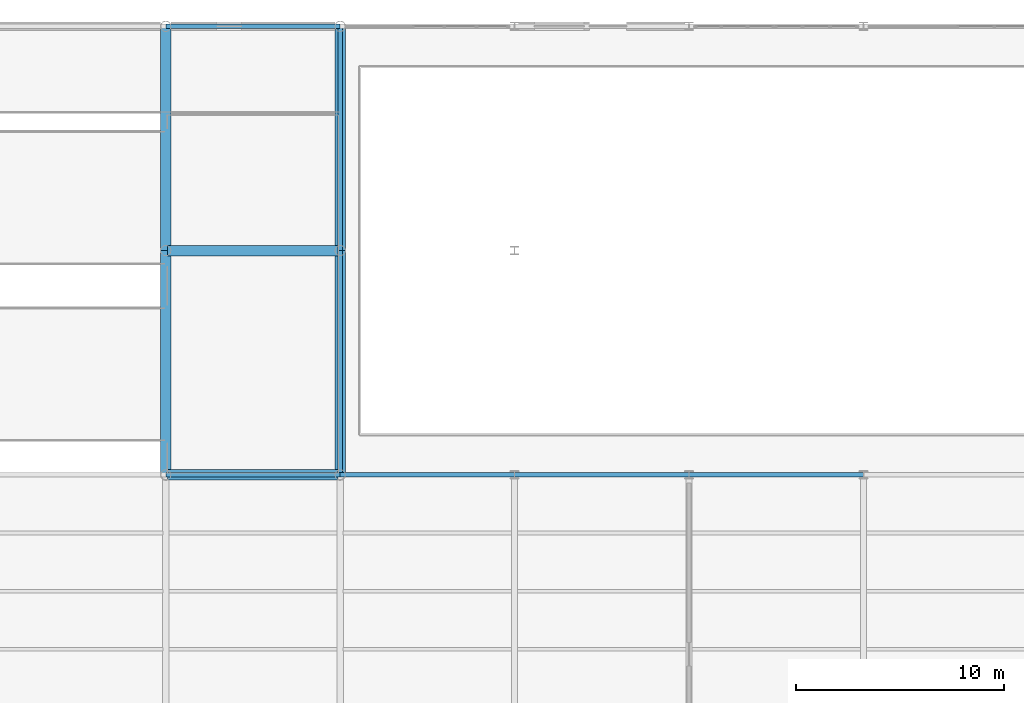
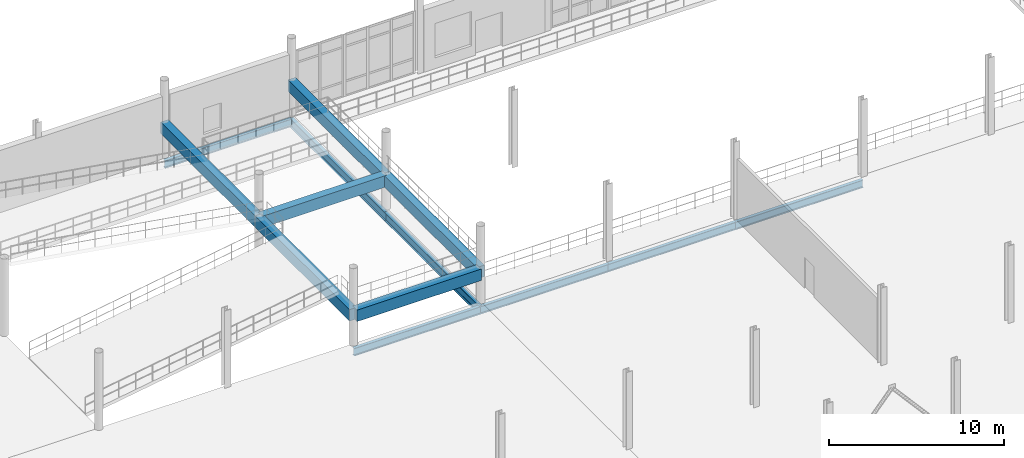
# One storey, part 52 of 111: 13 beams.
"""IFC4 building model written with IfcOpenShell, lengths in metres."""

import ifcopenshell
import ifcopenshell.guid

model = None  # the IFC model being written
_history = None  # IfcOwnerHistory: only IFC2X3 demands one
_inside = {}  # id of a spatial element -> (the spatial element, [elements in it])
_under = {}  # id of a project, library or spatial element -> (it, [spatial elements below it])
_declared = {}  # id of a project -> (the project, [libraries it declares])
_typed = {}  # id of a type object -> (the type object, [elements of that type])
_made_of = {}  # id of a material, layer set ... -> (it, [elements and type objects made of it])


def new_model(schema):
    """Start an empty IFC model of exactly this schema.

    Asked for "IFC4X3", IfcOpenShell would pick the latest addendum, in which some entities
    have other attributes; the version numbers below select the first issue.
    IFC2X3 requires an IfcOwnerHistory on every rooted entity: one is made here for all.
    """
    global model, _history
    if schema == "IFC4X3":
        model = ifcopenshell.file(schema_version=(4, 3, 0, 0))
    else:
        model = ifcopenshell.file(schema=schema)
    _inside.clear()
    _under.clear()
    _declared.clear()
    _typed.clear()
    _made_of.clear()
    _history = None
    if model.schema == "IFC2X3":
        org = make("IfcOrganization", Name="unknown")
        user = make(
            "IfcPersonAndOrganization",
            ThePerson=make("IfcPerson", FamilyName="unknown"),
            TheOrganization=org,
        )
        app = make(
            "IfcApplication",
            ApplicationDeveloper=org,
            Version="unknown",
            ApplicationFullName="unknown",
            ApplicationIdentifier="unknown",
        )
        _history = make(
            "IfcOwnerHistory",
            OwningUser=user,
            OwningApplication=app,
            ChangeAction="ADDED",
            CreationDate=0,
        )
    return model


def make(cls, **values):
    """One entity of the class cls with the attributes given. An attribute that is None is left unset."""
    return model.create_entity(
        cls, **{name: value for name, value in values.items() if value is not None}
    )


def rooted(cls, **values):
    """An entity with a GlobalId (a new one), such as an element, a storey or a relation."""
    return make(cls, GlobalId=ifcopenshell.guid.new(), OwnerHistory=_history, **values)


def si_unit(unit_type, name, prefix=None):
    """IfcSIUnit, for example si_unit("LENGTHUNIT", "METRE", prefix="MILLI")."""
    return make("IfcSIUnit", UnitType=unit_type, Prefix=prefix, Name=name)


def assignment(units):
    """IfcUnitAssignment: the units of a project."""
    return None if units is None else make("IfcUnitAssignment", Units=units)


def point(xyz):
    """IfcCartesianPoint."""
    return None if xyz is None else make("IfcCartesianPoint", Coordinates=xyz)


def direction(xyz):
    """IfcDirection."""
    return None if xyz is None else make("IfcDirection", DirectionRatios=xyz)


def frame(location, z_axis=None, x_axis=None):
    """IfcAxis2Placement3D, a coordinate frame: its origin and axes. An axis left out is left unset."""
    return make(
        "IfcAxis2Placement3D",
        Location=point(location),
        Axis=direction(z_axis),
        RefDirection=direction(x_axis),
    )


def frame_2d(location, x_axis=None):
    """IfcAxis2Placement2D, a coordinate frame in the plane: its origin and x axis."""
    return make(
        "IfcAxis2Placement2D", Location=point(location), RefDirection=direction(x_axis)
    )


def origin():
    """The frame at (0, 0, 0) with its axes left unset."""
    return frame((0.0, 0.0, 0.0))


def origin_2d():
    """The frame at (0, 0) in the plane with its x axis left unset."""
    return frame_2d((0.0, 0.0))


def place(relative_to, where):
    """IfcLocalPlacement: puts the frame where relative to a parent placement (None: the world)."""
    return make(
        "IfcLocalPlacement", PlacementRelTo=relative_to, RelativePlacement=where
    )


def context(
    kind, dimensions, precision=None, world=None, true_north=None, identifier=None
):
    """IfcGeometricRepresentationContext, for example the 3D "Model" context."""
    return make(
        "IfcGeometricRepresentationContext",
        ContextIdentifier=identifier,
        ContextType=kind,
        CoordinateSpaceDimension=dimensions,
        Precision=precision,
        WorldCoordinateSystem=world,
        TrueNorth=true_north,
    )


def subcontext(parent, identifier, kind, view, scale=None):
    """IfcGeometricRepresentationSubContext, for example "Body" below "Model"."""
    return make(
        "IfcGeometricRepresentationSubContext",
        ContextIdentifier=identifier,
        ContextType=kind,
        ParentContext=parent,
        TargetScale=scale,
        TargetView=view,
    )


def project(units=None, contexts=None):
    """IfcProject with its units and contexts."""
    return rooted(
        "IfcProject",
        Name="project",
        RepresentationContexts=contexts,
        UnitsInContext=assignment(units),
    )


def spatial(cls, under=None, at=None, **own):
    """A site, building, storey or space (cls), placed at a placement, below another one or the project."""
    s = rooted(cls, ObjectPlacement=at, **own)
    if under is not None:
        _under.setdefault(under.id(), (under, []))[1].append(s)
    return s


def profile(cls, at=None, kind="AREA", **sizes):
    """A parametric profile (cls). Its sizes go by their IFC names, for example OverallWidth=200.0."""
    return make(cls, ProfileType=kind, Position=at, **sizes)


def rectangle(**sizes):
    """IfcRectangleProfileDef."""
    return profile("IfcRectangleProfileDef", **sizes)


def i_section(**sizes):
    """IfcIShapeProfileDef."""
    return profile("IfcIShapeProfileDef", **sizes)


def extrude(swept, where, along, depth):
    """IfcExtrudedAreaSolid: the profile swept, set in the frame where, extruded along a direction by depth."""
    return make(
        "IfcExtrudedAreaSolid",
        SweptArea=swept,
        Position=where,
        ExtrudedDirection=direction(along),
        Depth=depth,
    )


def shape(context_of_items, identifier, shape_type, items):
    """IfcShapeRepresentation: the items that make up one representation, for example the "Body"."""
    return make(
        "IfcShapeRepresentation",
        ContextOfItems=context_of_items,
        RepresentationIdentifier=identifier,
        RepresentationType=shape_type,
        Items=items,
    )


def material(Name=None, Category=None):
    """IfcMaterial."""
    return make("IfcMaterial", Name=Name, Category=Category)


def material_profile(
    of_material, cross_section, Name=None, Category=None, Priority=None
):
    """IfcMaterialProfile: a cross section and its material."""
    return make(
        "IfcMaterialProfile",
        Name=Name,
        Material=of_material,
        Profile=cross_section,
        Priority=Priority,
        Category=Category,
    )


def profile_set(profiles, Name=None, composite=None):
    """IfcMaterialProfileSet."""
    return make(
        "IfcMaterialProfileSet",
        Name=Name,
        MaterialProfiles=profiles,
        CompositeProfile=composite,
    )


def made_of(thing, what):
    """Note that an element or type object is made of a material, layer set ...; save() writes the relation."""
    if what is not None:
        _made_of.setdefault(what.id(), (what, []))[1].append(thing)
    return thing


def type_object(cls, material=None, **own):
    """A type object (cls), such as IfcWallType, which elements share."""
    return made_of(rooted(cls, **own), material)


def element(
    cls,
    number,
    at=None,
    inside=None,
    cuts=None,
    type_object=None,
    material=None,
    context=None,
    identifier="Body",
    shape_type=None,
    held_by="IfcProductDefinitionShape",
    body=None,
    shapes=None,
    **own,
):
    """One element of the class cls, such as IfcWall. Its Tag is "e" and its number.

    at: its placement. inside: the storey or other place that contains it. cuts: it is an
    opening in that element (IfcRelVoidsElement). A single representation is given by context,
    identifier, shape_type and body (its items); several are given by shapes. held_by: the class
    of the entity that holds the representations. save() writes the other relations.
    """
    e = rooted(cls, Tag="e%d" % number, ObjectPlacement=at, **own)
    if body is not None:
        shapes = [shape(context, identifier, shape_type, body)]
    if shapes is not None:
        e.Representation = make(held_by, Representations=shapes)
    if inside is not None:
        _inside.setdefault(inside.id(), (inside, []))[1].append(e)
    if cuts is not None:
        rooted(
            "IfcRelVoidsElement", RelatingBuildingElement=cuts, RelatedOpeningElement=e
        )
    if type_object is not None:
        _typed.setdefault(type_object.id(), (type_object, []))[1].append(e)
    return made_of(e, material)


def aggregate(whole, parts):
    """IfcRelAggregates: a whole, such as a stair, and the parts it consists of."""
    return rooted("IfcRelAggregates", RelatingObject=whole, RelatedObjects=parts)


def save(model, path):
    """Write the relations noted so far, then the file.

    IfcRelAggregates (storeys below a building ...), IfcRelContainedInSpatialStructure (elements
    in a storey), IfcRelDefinesByType, IfcRelAssociatesMaterial and IfcRelDeclares: one each for
    every whole, place, type object, material and project.
    """
    for whole, parts in _under.values():
        aggregate(whole, parts)
    for where, things in _inside.values():
        rooted(
            "IfcRelContainedInSpatialStructure",
            RelatedElements=things,
            RelatingStructure=where,
        )
    for kind, things in _typed.values():
        rooted("IfcRelDefinesByType", RelatedObjects=things, RelatingType=kind)
    for what, things in _made_of.values():
        rooted("IfcRelAssociatesMaterial", RelatedObjects=things, RelatingMaterial=what)
    for by, libraries in _declared.values():
        rooted("IfcRelDeclares", RelatingContext=by, RelatedDefinitions=libraries)
    model.write(path)


model = new_model("IFC4")

# Units and contexts
model_context = context("Model", 3, precision=1e-05, world=origin(), true_north=direction((0.0, 1.0)))
body_context = subcontext(model_context, "Body", "Model", "MODEL_VIEW")
ifc_project = project(units=[si_unit("LENGTHUNIT", "METRE"), si_unit("AREAUNIT", "SQUARE_METRE"), si_unit("VOLUMEUNIT", "CUBIC_METRE"), si_unit("PLANEANGLEUNIT", "RADIAN"), si_unit("MASSUNIT", "GRAM", prefix="KILO"), si_unit("THERMODYNAMICTEMPERATUREUNIT", "KELVIN"), si_unit("POWERUNIT", "WATT")], contexts=[model_context])

# Site, building, storey
site_placement = place(None, origin())
site = spatial("IfcSite", under=ifc_project, at=site_placement, CompositionType="ELEMENT")
building_placement = place(site_placement, origin())
building = spatial("IfcBuilding", under=site, at=building_placement, Name="Tembeka Court Mobility Hub", CompositionType="ELEMENT")
storey_placement = place(building_placement, origin())
storey = spatial("IfcBuildingStorey", under=building, at=storey_placement, Name="L00", CompositionType="ELEMENT", Elevation=0.0)

# Beams
ifc_material_1 = material(Name="Concrete C40/50", Category="concrete")
ifc_material_profile_1 = material_profile(ifc_material_1, rectangle(XDim=0.5, YDim=0.800048828125, at=origin_2d()), Name="RC-BM 500x800")
ifc_profile_set_1 = profile_set([ifc_material_profile_1], Name="Concrete C40/50")
beam_type_1 = type_object("IfcBeamType", Name="BM-B05", PredefinedType="BEAM", material=ifc_profile_set_1)
for number, where, z_axis, x_axis, name in (
    (1, (33.695068359375, 97.199951171875, 2.050048828125), (1.0, 0.0, 0.0), (0.0, 1.0, 0.0), "Car park vehicle ramp North R1 L00 half-landing tie beam EX1"),
    (2, (33.695068359375, 108.0, 2.050048828125), (1.0, 0.0, 0.0), (0.0, 1.0, 0.0), "Car park vehicle ramp North R1 L00 half-landing tie beam EX2"),
):
    element("IfcBeam", number, at=place(storey_placement, frame(where, z_axis=z_axis, x_axis=x_axis)), inside=storey, type_object=beam_type_1, Name=name, PredefinedType="BEAM", context=body_context, shape_type="SweptSolid", body=[
        extrude(rectangle(XDim=0.5, YDim=0.800048828125, at=origin_2d()), origin(), (0.0, 0.0, 1.0), 8.2099609375),
    ])
for number, where, z_axis, x_axis, name in (
    (3, (33.60009765625, 97.199951171875, 2.050048828125), (0.0, 1.0, 0.0), (-1.0, 0.0, 0.0), "Car park vehicle ramp North R1 L00 half-landing beam EM1"),
    (4, (33.60009765625, 108.0, 2.050048828125), (0.0, 1.0, 0.0), (-1.0, 0.0, 0.0), "Car park vehicle ramp North R1 L00 half-landing beam EM2"),
    (5, (42.0, 97.199951171875, 2.050048828125), (0.0, 1.0, 0.0), (-1.0, 0.0, 0.0), "Car park vehicle ramp North R1 L00 half-landing beam EE1"),
    (6, (42.0, 108.0, 2.050048828125), (0.0, 1.0, 0.0), (-1.0, 0.0, 0.0), "Car park vehicle ramp North R1 L00 half-landing beam EE2"),
):
    element("IfcBeam", number, at=place(storey_placement, frame(where, z_axis=z_axis, x_axis=x_axis)), inside=storey, type_object=beam_type_1, Name=name, PredefinedType="BEAM", context=body_context, shape_type="SweptSolid", body=[
        extrude(rectangle(XDim=0.5, YDim=0.800048828125, at=origin_2d()), origin(), (0.0, 0.0, 1.0), 10.800048828125),
    ])
ifc_material_2 = material(Name="Steel S355", Category="steel")
ifc_material_profile_2 = material_profile(ifc_material_2, i_section(OverallWidth=0.22900390625, OverallDepth=0.612060546875, WebThickness=0.011962890625, FlangeThickness=0.01953125, FilletRadius=0.0126953125, at=origin_2d()), Name="UKB 610x229x125")
ifc_profile_set_2 = profile_set([ifc_material_profile_2], Name="Steel S355")
beam_type_2 = type_object("IfcBeamType", Name="BM-G02", PredefinedType="USERDEFINED", material=ifc_profile_set_2)
for number, where, z_axis, x_axis, name in (
    (7, (42.0, 97.199951171875, -0.5859375), (0.0, 1.0, 0.0), (-1.0, 0.0, 0.0), "Beam G02 (BM-L00-Y0218)"),
    (8, (42.0, 108.0, -0.5859375), (0.0, 1.0, 0.0), (-1.0, 0.0, 0.0), "Beam G02 (BM-L00-Y0219)"),
):
    element("IfcBeam", number, at=place(storey_placement, frame(where, z_axis=z_axis, x_axis=x_axis)), inside=storey, type_object=beam_type_2, Name=name, ObjectType="GIRDER", PredefinedType="USERDEFINED", context=body_context, shape_type="SweptSolid", body=[
        extrude(i_section(OverallWidth=0.22900390625, OverallDepth=0.612060546875, WebThickness=0.011962890625, FlangeThickness=0.01953125, FilletRadius=0.0126953125, at=origin_2d()), origin(), (0.0, 0.0, 1.0), 10.800048828125),
    ])
ifc_material_profile_3 = material_profile(ifc_material_2, i_section(OverallWidth=0.2099609375, OverallDepth=0.537109375, WebThickness=0.0107421875, FlangeThickness=0.017333984375, FilletRadius=0.0126953125, at=origin_2d()), Name="UKB 533x210x101")
ifc_profile_set_3 = profile_set([ifc_material_profile_3], Name="Steel S355")
beam_type_3 = type_object("IfcBeamType", Name="BM-G03", PredefinedType="USERDEFINED", material=ifc_profile_set_3)
for number, where, z_axis, x_axis, name in (
    (9, (33.60009765625, 97.199951171875, -0.548583984375), (1.0, 0.0, 0.0), (0.0, 1.0, 0.0), "Beam G03 (BM-L00-X0141)"),
    (10, (42.0, 97.199951171875, -0.548583984375), (1.0, 0.0, 0.0), (0.0, 1.0, 0.0), "Beam G03 (BM-L00-X0142)"),
):
    element("IfcBeam", number, at=place(storey_placement, frame(where, z_axis=z_axis, x_axis=x_axis)), inside=storey, type_object=beam_type_3, Name=name, ObjectType="GIRDER", PredefinedType="USERDEFINED", context=body_context, shape_type="SweptSolid", body=[
        extrude(i_section(OverallWidth=0.2099609375, OverallDepth=0.537109375, WebThickness=0.0107421875, FlangeThickness=0.017333984375, FilletRadius=0.0126953125, at=origin_2d()), origin(), (0.0, 0.0, 1.0), 8.39990234375),
    ])
beam_placement = place(storey_placement, frame((50.39990234375, 97.199951171875, -0.548583984375), z_axis=(1.0, 0.0, 0.0), x_axis=(0.0, 1.0, 0.0)))
element("IfcBeam", 11, at=beam_placement, inside=storey, type_object=beam_type_3, Name="Beam G03 (BM-L00-X0143)", ObjectType="GIRDER", PredefinedType="USERDEFINED", context=body_context, shape_type="SweptSolid", body=[
    extrude(i_section(OverallWidth=0.2099609375, OverallDepth=0.537109375, WebThickness=0.0107421875, FlangeThickness=0.017333984375, FilletRadius=0.0126953125, at=origin_2d()), origin(), (0.0, 0.0, 1.0), 8.400146484375),
])
for number, where, z_axis, x_axis, name in (
    (12, (58.800048828125, 97.199951171875, -0.548583984375), (1.0, 0.0, 0.0), (0.0, 1.0, 0.0), "Beam G03 (BM-L00-X0144)"),
    (13, (33.60009765625, 118.800048828125, -0.548583984375), (1.0, 0.0, 0.0), (0.0, 1.0, 0.0), "Beam G03 (BM-L00-X0156)"),
):
    element("IfcBeam", number, at=place(storey_placement, frame(where, z_axis=z_axis, x_axis=x_axis)), inside=storey, type_object=beam_type_3, Name=name, ObjectType="GIRDER", PredefinedType="USERDEFINED", context=body_context, shape_type="SweptSolid", body=[
        extrude(i_section(OverallWidth=0.2099609375, OverallDepth=0.537109375, WebThickness=0.0107421875, FlangeThickness=0.017333984375, FilletRadius=0.0126953125, at=origin_2d()), origin(), (0.0, 0.0, 1.0), 8.39990234375),
    ])

save(model, "model.ifc")
